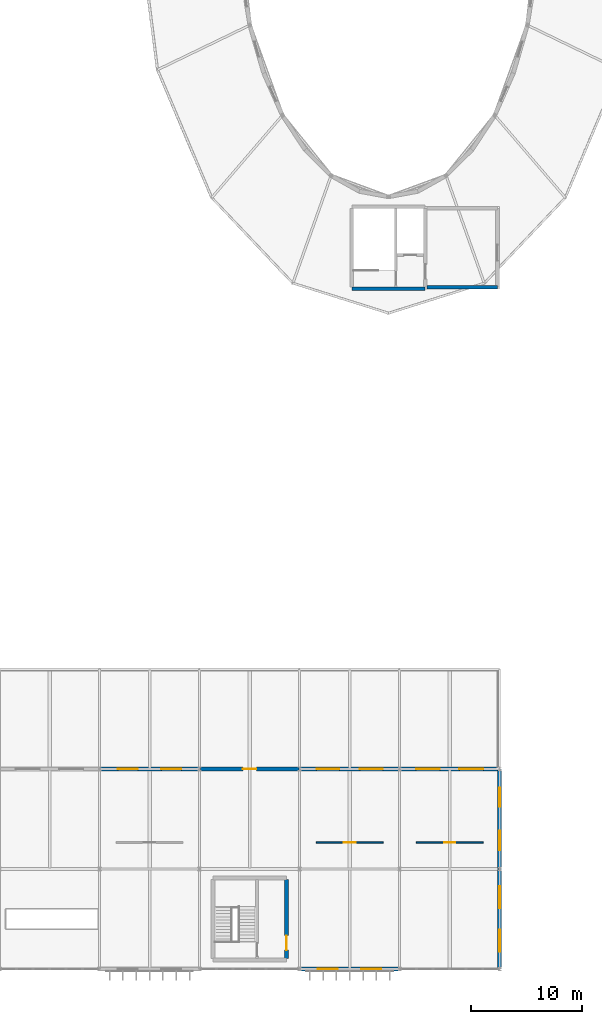
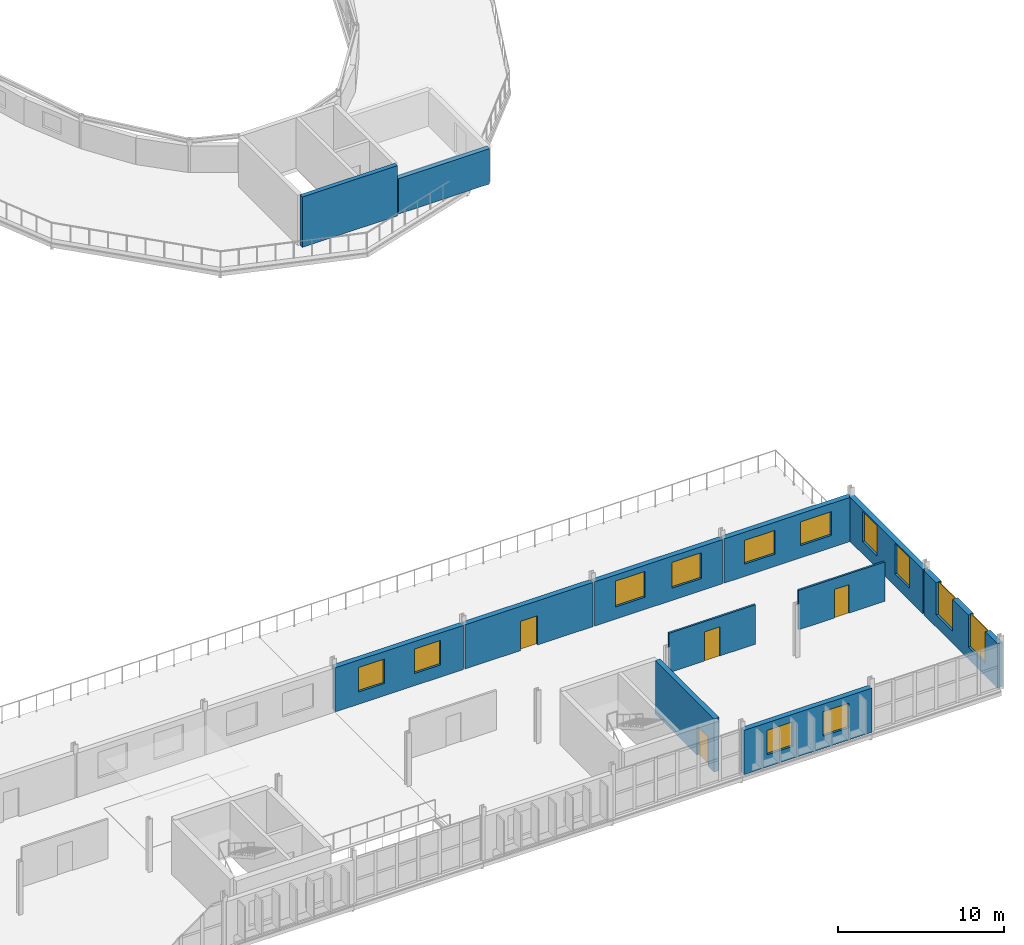
# One storey, part 104 of 123: 12 walls, 12 windows, 4 doors, 16 openings.
"""IFC4 building model written with IfcOpenShell, lengths in metres."""

from ifc_helpers import new_model, si_unit, direction, frame, frame_2d, origin, place, context, subcontext, project, spatial, rectangle, extrude, material, layer, layer_set, type_object, element, fill, save


model = new_model("IFC4")

# Units and contexts
model_context = context("Model", 3, precision=1e-05, world=origin(), true_north=direction((0.0, 1.0)))
body_context = subcontext(model_context, "Body", "Model", "MODEL_VIEW")
ifc_project = project(units=[si_unit("LENGTHUNIT", "METRE"), si_unit("AREAUNIT", "SQUARE_METRE"), si_unit("VOLUMEUNIT", "CUBIC_METRE"), si_unit("PLANEANGLEUNIT", "RADIAN"), si_unit("MASSUNIT", "GRAM", prefix="KILO")], contexts=[model_context])

# Site, building, storey
site_placement = place(None, origin())
site = spatial("IfcSite", under=ifc_project, at=site_placement, CompositionType="ELEMENT")
building_placement = place(site_placement, origin())
building = spatial("IfcBuilding", under=site, at=building_placement, Name="Kildeholm Park Wholesale Market", CompositionType="ELEMENT")
storey_placement = place(building_placement, frame((0.0, 0.0, 9.60009765625)))
storey = spatial("IfcBuildingStorey", under=building, at=storey_placement, Name="L02", CompositionType="ELEMENT", Elevation=9.60009765625)

# Wall, openings, windows
ifc_material_1 = material(Name="Red Danish clinker brick masonry with Concrete C35/45 backing", Category="masonry")
ifc_layer_1 = layer(ifc_material_1, 0.360107421875)
ifc_layer_set_1 = layer_set([ifc_layer_1], Name="Red Danish clinker brick masonry with Concrete C35/45 backing")
wall_type_1 = type_object("IfcWallType", Name="Exterior wall W-EX1 360 mm", PredefinedType="SOLIDWALL", material=ifc_layer_set_1)
wall_1_placement = place(storey_placement, frame((180.06005859375, 0.0, 0.0), z_axis=(0.0, 0.0, 1.0), x_axis=(1.0, 0.0, 0.0)))
wall_1 = element("IfcWall", 1, at=wall_1_placement, inside=storey, type_object=wall_type_1, Name="Exterior wall V5E-L02-S07.1 WL-0614", PredefinedType="SOLIDWALL", context=body_context, shape_type="SweptSolid", body=[
    extrude(rectangle(XDim=8.8798828125, YDim=0.360107421875, at=frame_2d((4.43994140625, 0.0))), origin(), (0.0, 0.0, 1.0), 3.25),
])
opening_1_placement = place(wall_1_placement, frame((1.5859375, 0.0, 0.89990234375)))
opening_1 = element("IfcOpeningElement", 2, at=opening_1_placement, cuts=wall_1, Name="Opening WN-07", PredefinedType="OPENING", context=body_context, shape_type="SweptSolid", body=[
    extrude(rectangle(XDim=1.800048828125, YDim=1.800048828125, at=frame_2d((0.89990234375, 0.89990234375))), frame((0.0, 0.18994140625, 0.0), z_axis=(0.0, -1.0, 0.0), x_axis=(1.0, 0.0, 0.0)), (0.0, 0.0, 1.0), 0.380126953125),
])
opening_2_placement = place(wall_1_placement, frame((5.493896484375, 0.0, 0.89990234375)))
opening_2 = element("IfcOpeningElement", 3, at=opening_2_placement, cuts=wall_1, Name="Opening WN-07", PredefinedType="OPENING", context=body_context, shape_type="SweptSolid", body=[
    extrude(rectangle(XDim=1.800048828125, YDim=1.800048828125, at=frame_2d((0.89990234375, 0.89990234375))), frame((0.0, 0.18994140625, 0.0), z_axis=(0.0, -1.0, 0.0), x_axis=(1.0, 0.0, 0.0)), (0.0, 0.0, 1.0), 0.380126953125),
])
ifc_material_2 = material(Name="Thermally broken aluminium and triple-glazed low-E glass", Category="aluminium")
window_type_1 = type_object("IfcWindowType", Name="Window WN-07 1800x1800", PartitioningType="DOUBLE_PANEL_VERTICAL", PredefinedType="WINDOW", material=ifc_material_2)
window_1_placement = place(opening_1_placement, origin())
window_1 = element("IfcWindow", 4, at=window_1_placement, inside=storey, type_object=window_type_1, Name="Window V5E-L02-S07.1.1 WIN-0420", OverallHeight=1.800048828125, OverallWidth=1.800048828125, PartitioningType="SINGLE_PANEL", PredefinedType="WINDOW", context=body_context, shape_type="SweptSolid", body=[
    extrude(rectangle(XDim=1.800048828125, YDim=1.800048828125, at=frame_2d((0.89990234375, 0.89990234375))), frame((0.0, 0.030029296875, 0.0), z_axis=(0.0, -1.0, 0.0), x_axis=(1.0, 0.0, 0.0)), (0.0, 0.0, 1.0), 0.06005859375),
])
fill(opening_1, window_1)
window_2_placement = place(opening_2_placement, origin())
window_2 = element("IfcWindow", 5, at=window_2_placement, inside=storey, type_object=window_type_1, Name="Window V5E-L02-S07.1.2 WIN-0421", OverallHeight=1.800048828125, OverallWidth=1.800048828125, PartitioningType="SINGLE_PANEL", PredefinedType="WINDOW", context=body_context, shape_type="SweptSolid", body=[
    extrude(rectangle(XDim=1.800048828125, YDim=1.800048828125, at=frame_2d((0.89990234375, 0.89990234375))), frame((0.0, 0.030029296875, 0.0), z_axis=(0.0, -1.0, 0.0), x_axis=(1.0, 0.0, 0.0)), (0.0, 0.0, 1.0), 0.06005859375),
])
fill(opening_2, window_2)

wall_2_placement = place(storey_placement, frame((162.06005859375, 18.0, 0.0), z_axis=(0.0, 0.0, 1.0), x_axis=(1.0, 0.0, 0.0)))
wall_2 = element("IfcWall", 6, at=wall_2_placement, inside=storey, type_object=wall_type_1, Name="Exterior wall V5E-L02-N.5 WL-0619", PredefinedType="SOLIDWALL", context=body_context, shape_type="SweptSolid", body=[
    extrude(rectangle(XDim=8.8798828125, YDim=0.360107421875, at=frame_2d((4.43994140625, 0.0))), origin(), (0.0, 0.0, 1.0), 3.25),
])
opening_3_placement = place(wall_2_placement, frame((1.5859375, 0.0, 0.89990234375)))
opening_3 = element("IfcOpeningElement", 7, at=opening_3_placement, cuts=wall_2, Name="Opening WN-07", PredefinedType="OPENING", context=body_context, shape_type="SweptSolid", body=[
    extrude(rectangle(XDim=1.800048828125, YDim=1.800048828125, at=frame_2d((0.89990234375, 0.89990234375))), frame((0.0, 0.18994140625, 0.0), z_axis=(0.0, -1.0, 0.0), x_axis=(1.0, 0.0, 0.0)), (0.0, 0.0, 1.0), 0.380126953125),
])
opening_4_placement = place(wall_2_placement, frame((5.493896484375, 0.0, 0.89990234375)))
opening_4 = element("IfcOpeningElement", 8, at=opening_4_placement, cuts=wall_2, Name="Opening WN-07", PredefinedType="OPENING", context=body_context, shape_type="SweptSolid", body=[
    extrude(rectangle(XDim=1.800048828125, YDim=1.800048828125, at=frame_2d((0.89990234375, 0.89990234375))), frame((0.0, 0.18994140625, 0.0), z_axis=(0.0, -1.0, 0.0), x_axis=(1.0, 0.0, 0.0)), (0.0, 0.0, 1.0), 0.380126953125),
])
window_3_placement = place(opening_3_placement, origin())
window_3 = element("IfcWindow", 9, at=window_3_placement, inside=storey, type_object=window_type_1, Name="Window V5E-L02-N.5.1 WIN-0428", OverallHeight=1.800048828125, OverallWidth=1.800048828125, PartitioningType="SINGLE_PANEL", PredefinedType="WINDOW", context=body_context, shape_type="SweptSolid", body=[
    extrude(rectangle(XDim=1.800048828125, YDim=1.800048828125, at=frame_2d((0.89990234375, 0.89990234375))), frame((0.0, 0.030029296875, 0.0), z_axis=(0.0, -1.0, 0.0), x_axis=(1.0, 0.0, 0.0)), (0.0, 0.0, 1.0), 0.06005859375),
])
fill(opening_3, window_3)
window_4_placement = place(opening_4_placement, origin())
window_4 = element("IfcWindow", 10, at=window_4_placement, inside=storey, type_object=window_type_1, Name="Window V5E-L02-N.5.2 WIN-0429", OverallHeight=1.800048828125, OverallWidth=1.800048828125, PartitioningType="SINGLE_PANEL", PredefinedType="WINDOW", context=body_context, shape_type="SweptSolid", body=[
    extrude(rectangle(XDim=1.800048828125, YDim=1.800048828125, at=frame_2d((0.89990234375, 0.89990234375))), frame((0.0, 0.030029296875, 0.0), z_axis=(0.0, -1.0, 0.0), x_axis=(1.0, 0.0, 0.0)), (0.0, 0.0, 1.0), 0.06005859375),
])
fill(opening_4, window_4)

# Wall, opening, door
wall_3_placement = place(storey_placement, frame((171.06005859375, 18.0, 0.0), z_axis=(0.0, 0.0, 1.0), x_axis=(1.0, 0.0, 0.0)))
wall_3 = element("IfcWall", 11, at=wall_3_placement, inside=storey, type_object=wall_type_1, Name="Exterior wall V5E-L02-N.6 WL-0620", PredefinedType="SOLIDWALL", context=body_context, shape_type="SweptSolid", body=[
    extrude(rectangle(XDim=8.8798828125, YDim=0.360107421875, at=frame_2d((4.43994140625, 0.0))), origin(), (0.0, 0.0, 1.0), 3.25),
])
opening_5_placement = place(wall_3_placement, frame((3.840087890625, 0.0, 0.0)))
opening_5 = element("IfcOpeningElement", 12, at=opening_5_placement, cuts=wall_3, Name="Opening D-EX11", PredefinedType="OPENING", context=body_context, shape_type="SweptSolid", body=[
    extrude(rectangle(XDim=1.199951171875, YDim=2.14990234375, at=frame_2d((0.60009765625, 1.074951171875))), frame((0.0, 0.18994140625, 0.0), z_axis=(0.0, -1.0, 0.0), x_axis=(1.0, 0.0, 0.0)), (0.0, 0.0, 1.0), 0.380126953125),
])
ifc_material_3 = material(Name="Anodised aluminium terrace leaf door", Category="aluminium")
door_type_1 = type_object("IfcDoorType", Name="Exterior door D-EX11 1200x2150", OperationType="NOTDEFINED", PredefinedType="DOOR", material=ifc_material_3)
door_1_placement = place(opening_5_placement, origin())
door_1 = element("IfcDoor", 13, at=door_1_placement, inside=storey, type_object=door_type_1, Name="Door V5E-L02-N.6 DR-0069 WL-0620", OperationType="SINGLE_SWING_LEFT", OverallHeight=2.14990234375, OverallWidth=1.199951171875, PredefinedType="DOOR", context=body_context, shape_type="SweptSolid", body=[
    extrude(rectangle(XDim=1.199951171875, YDim=2.14990234375, at=frame_2d((0.60009765625, 1.074951171875))), frame((0.0, 0.02490234375, 0.0), z_axis=(0.0, -1.0, 0.0), x_axis=(1.0, 0.0, 0.0)), (0.0, 0.0, 1.0), 0.050048828125),
])
fill(opening_5, door_1)

# Wall, openings, windows
wall_4_placement = place(storey_placement, frame((180.06005859375, 18.0, 0.0), z_axis=(0.0, 0.0, 1.0), x_axis=(1.0, 0.0, 0.0)))
wall_4 = element("IfcWall", 14, at=wall_4_placement, inside=storey, type_object=wall_type_1, Name="Exterior wall V5E-L02-N.7 WL-0621", PredefinedType="SOLIDWALL", context=body_context, shape_type="SweptSolid", body=[
    extrude(rectangle(XDim=8.8798828125, YDim=0.360107421875, at=frame_2d((4.43994140625, 0.0))), origin(), (0.0, 0.0, 1.0), 3.25),
])
opening_6_placement = place(wall_4_placement, frame((1.4609375, 0.0, 0.89990234375)))
opening_6 = element("IfcOpeningElement", 15, at=opening_6_placement, cuts=wall_4, Name="Opening WN-31", PredefinedType="OPENING", context=body_context, shape_type="SweptSolid", body=[
    extrude(rectangle(XDim=2.050048828125, YDim=1.89990234375, at=frame_2d((1.02490234375, 0.949951171875))), frame((0.0, 0.18994140625, 0.0), z_axis=(0.0, -1.0, 0.0), x_axis=(1.0, 0.0, 0.0)), (0.0, 0.0, 1.0), 0.380126953125),
])
opening_7_placement = place(wall_4_placement, frame((5.368896484375, 0.0, 0.89990234375)))
opening_7 = element("IfcOpeningElement", 16, at=opening_7_placement, cuts=wall_4, Name="Opening WN-31", PredefinedType="OPENING", context=body_context, shape_type="SweptSolid", body=[
    extrude(rectangle(XDim=2.050048828125, YDim=1.89990234375, at=frame_2d((1.02490234375, 0.949951171875))), frame((0.0, 0.18994140625, 0.0), z_axis=(0.0, -1.0, 0.0), x_axis=(1.0, 0.0, 0.0)), (0.0, 0.0, 1.0), 0.380126953125),
])
window_type_2 = type_object("IfcWindowType", Name="Window WN-31 2050x1900", PartitioningType="TRIPLE_PANEL_VERTICAL", PredefinedType="WINDOW", material=ifc_material_2)
window_5_placement = place(opening_6_placement, origin())
window_5 = element("IfcWindow", 17, at=window_5_placement, inside=storey, type_object=window_type_2, Name="Window V5E-L02-N.7.1 WIN-0430", OverallHeight=1.89990234375, OverallWidth=2.050048828125, PartitioningType="SINGLE_PANEL", PredefinedType="WINDOW", context=body_context, shape_type="SweptSolid", body=[
    extrude(rectangle(XDim=2.050048828125, YDim=1.89990234375, at=frame_2d((1.02490234375, 0.949951171875))), frame((0.0, 0.030029296875, 0.0), z_axis=(0.0, -1.0, 0.0), x_axis=(1.0, 0.0, 0.0)), (0.0, 0.0, 1.0), 0.06005859375),
])
fill(opening_6, window_5)
window_6_placement = place(opening_7_placement, origin())
window_6 = element("IfcWindow", 18, at=window_6_placement, inside=storey, type_object=window_type_2, Name="Window V5E-L02-N.7.2 WIN-0431", OverallHeight=1.89990234375, OverallWidth=2.050048828125, PartitioningType="SINGLE_PANEL", PredefinedType="WINDOW", context=body_context, shape_type="SweptSolid", body=[
    extrude(rectangle(XDim=2.050048828125, YDim=1.89990234375, at=frame_2d((1.02490234375, 0.949951171875))), frame((0.0, 0.030029296875, 0.0), z_axis=(0.0, -1.0, 0.0), x_axis=(1.0, 0.0, 0.0)), (0.0, 0.0, 1.0), 0.06005859375),
])
fill(opening_7, window_6)

wall_5_placement = place(storey_placement, frame((189.06005859375, 18.0, 0.0), z_axis=(0.0, 0.0, 1.0), x_axis=(1.0, 0.0, 0.0)))
wall_5 = element("IfcWall", 19, at=wall_5_placement, inside=storey, type_object=wall_type_1, Name="Exterior wall V5E-L02-N.8 WL-0622", PredefinedType="SOLIDWALL", context=body_context, shape_type="SweptSolid", body=[
    extrude(rectangle(XDim=8.8798828125, YDim=0.360107421875, at=frame_2d((4.43994140625, 0.0))), origin(), (0.0, 0.0, 1.0), 3.25),
])
opening_8_placement = place(wall_5_placement, frame((1.410888671875, 0.0, 0.89990234375)))
opening_8 = element("IfcOpeningElement", 20, at=opening_8_placement, cuts=wall_5, Name="Opening WN-32", PredefinedType="OPENING", context=body_context, shape_type="SweptSolid", body=[
    extrude(rectangle(XDim=2.14990234375, YDim=1.75, at=frame_2d((1.074951171875, 0.875))), frame((0.0, 0.18994140625, 0.0), z_axis=(0.0, -1.0, 0.0), x_axis=(1.0, 0.0, 0.0)), (0.0, 0.0, 1.0), 0.380126953125),
])
opening_9_placement = place(wall_5_placement, frame((5.319091796875, 0.0, 0.89990234375)))
opening_9 = element("IfcOpeningElement", 21, at=opening_9_placement, cuts=wall_5, Name="Opening WN-32", PredefinedType="OPENING", context=body_context, shape_type="SweptSolid", body=[
    extrude(rectangle(XDim=2.14990234375, YDim=1.75, at=frame_2d((1.074951171875, 0.875))), frame((0.0, 0.18994140625, 0.0), z_axis=(0.0, -1.0, 0.0), x_axis=(1.0, 0.0, 0.0)), (0.0, 0.0, 1.0), 0.380126953125),
])
window_type_3 = type_object("IfcWindowType", Name="Window WN-32 2150x1750", PartitioningType="TRIPLE_PANEL_VERTICAL", PredefinedType="WINDOW", material=ifc_material_2)
window_7_placement = place(opening_8_placement, origin())
window_7 = element("IfcWindow", 22, at=window_7_placement, inside=storey, type_object=window_type_3, Name="Window V5E-L02-N.8.1 WIN-0432", OverallHeight=1.75, OverallWidth=2.14990234375, PartitioningType="SINGLE_PANEL", PredefinedType="WINDOW", context=body_context, shape_type="SweptSolid", body=[
    extrude(rectangle(XDim=2.14990234375, YDim=1.75, at=frame_2d((1.074951171875, 0.875))), frame((0.0, 0.030029296875, 0.0), z_axis=(0.0, -1.0, 0.0), x_axis=(1.0, 0.0, 0.0)), (0.0, 0.0, 1.0), 0.06005859375),
])
fill(opening_8, window_7)
window_8_placement = place(opening_9_placement, origin())
window_8 = element("IfcWindow", 23, at=window_8_placement, inside=storey, type_object=window_type_3, Name="Window V5E-L02-N.8.2 WIN-0433", OverallHeight=1.75, OverallWidth=2.14990234375, PartitioningType="SINGLE_PANEL", PredefinedType="WINDOW", context=body_context, shape_type="SweptSolid", body=[
    extrude(rectangle(XDim=2.14990234375, YDim=1.75, at=frame_2d((1.074951171875, 0.875))), frame((0.0, 0.030029296875, 0.0), z_axis=(0.0, -1.0, 0.0), x_axis=(1.0, 0.0, 0.0)), (0.0, 0.0, 1.0), 0.06005859375),
])
fill(opening_9, window_8)

wall_6_placement = place(storey_placement, frame((198.0, 0.06005859375, 0.0), z_axis=(0.0, 0.0, 1.0), x_axis=(0.0, 1.0, 0.0)))
wall_6 = element("IfcWall", 24, at=wall_6_placement, inside=storey, type_object=wall_type_1, Name="Exterior wall V5E-L02-E.1 WL-0625", PredefinedType="SOLIDWALL", context=body_context, shape_type="SweptSolid", body=[
    extrude(rectangle(XDim=8.8798828125, YDim=0.360107421875, at=frame_2d((4.43994140625, 0.0))), origin(), (0.0, 0.0, 1.0), 3.25),
])
opening_10_placement = place(wall_6_placement, frame((1.486083984375, 0.0, 0.89990234375)))
opening_10 = element("IfcOpeningElement", 25, at=opening_10_placement, cuts=wall_6, Name="Opening WN-16", PredefinedType="OPENING", context=body_context, shape_type="SweptSolid", body=[
    extrude(rectangle(XDim=2.0, YDim=2.39990234375, at=frame_2d((1.0, 1.199951171875))), frame((0.0, 0.18994140625, 0.0), z_axis=(0.0, -1.0, 0.0), x_axis=(1.0, 0.0, 0.0)), (0.0, 0.0, 1.0), 0.380126953125),
])
opening_11_placement = place(wall_6_placement, frame((5.39404296875, 0.0, 0.89990234375)))
opening_11 = element("IfcOpeningElement", 26, at=opening_11_placement, cuts=wall_6, Name="Opening WN-16", PredefinedType="OPENING", context=body_context, shape_type="SweptSolid", body=[
    extrude(rectangle(XDim=2.0, YDim=2.39990234375, at=frame_2d((1.0, 1.199951171875))), frame((0.0, 0.18994140625, 0.0), z_axis=(0.0, -1.0, 0.0), x_axis=(1.0, 0.0, 0.0)), (0.0, 0.0, 1.0), 0.380126953125),
])
window_type_4 = type_object("IfcWindowType", Name="Window WN-16 2000x2400", PartitioningType="TRIPLE_PANEL_VERTICAL", PredefinedType="WINDOW", material=ifc_material_2)
window_9_placement = place(opening_10_placement, origin())
window_9 = element("IfcWindow", 27, at=window_9_placement, inside=storey, type_object=window_type_4, Name="Window V5E-L02-E.1.1 WIN-0436", OverallHeight=2.39990234375, OverallWidth=2.0, PartitioningType="SINGLE_PANEL", PredefinedType="WINDOW", context=body_context, shape_type="SweptSolid", body=[
    extrude(rectangle(XDim=2.0, YDim=2.39990234375, at=frame_2d((1.0, 1.199951171875))), frame((0.0, 0.030029296875, 0.0), z_axis=(0.0, -1.0, 0.0), x_axis=(1.0, 0.0, 0.0)), (0.0, 0.0, 1.0), 0.06005859375),
])
fill(opening_10, window_9)
window_10_placement = place(opening_11_placement, origin())
window_10 = element("IfcWindow", 28, at=window_10_placement, inside=storey, type_object=window_type_4, Name="Window V5E-L02-E.1.2 WIN-0437", OverallHeight=2.39990234375, OverallWidth=2.0, PartitioningType="SINGLE_PANEL", PredefinedType="WINDOW", context=body_context, shape_type="SweptSolid", body=[
    extrude(rectangle(XDim=2.0, YDim=2.39990234375, at=frame_2d((1.0, 1.199951171875))), frame((0.0, 0.030029296875, 0.0), z_axis=(0.0, -1.0, 0.0), x_axis=(1.0, 0.0, 0.0)), (0.0, 0.0, 1.0), 0.06005859375),
])
fill(opening_11, window_10)

wall_7_placement = place(storey_placement, frame((198.0, 9.06005859375, 0.0), z_axis=(0.0, 0.0, 1.0), x_axis=(0.0, 1.0, 0.0)))
wall_7 = element("IfcWall", 29, at=wall_7_placement, inside=storey, type_object=wall_type_1, Name="Exterior wall V5E-L02-E.2 WL-0626", PredefinedType="SOLIDWALL", context=body_context, shape_type="SweptSolid", body=[
    extrude(rectangle(XDim=8.8798828125, YDim=0.360107421875, at=frame_2d((4.43994140625, 0.0))), origin(), (0.0, 0.0, 1.0), 3.25),
])
opening_12_placement = place(wall_7_placement, frame((1.611083984375, 0.0, 0.89990234375)))
opening_12 = element("IfcOpeningElement", 30, at=opening_12_placement, cuts=wall_7, Name="Opening WN-25", PredefinedType="OPENING", context=body_context, shape_type="SweptSolid", body=[
    extrude(rectangle(XDim=1.75, YDim=2.25, at=frame_2d((0.875, 1.125))), frame((0.0, 0.18994140625, 0.0), z_axis=(0.0, -1.0, 0.0), x_axis=(1.0, 0.0, 0.0)), (0.0, 0.0, 1.0), 0.380126953125),
])
opening_13_placement = place(wall_7_placement, frame((5.51904296875, 0.0, 0.89990234375)))
opening_13 = element("IfcOpeningElement", 31, at=opening_13_placement, cuts=wall_7, Name="Opening WN-25", PredefinedType="OPENING", context=body_context, shape_type="SweptSolid", body=[
    extrude(rectangle(XDim=1.75, YDim=2.25, at=frame_2d((0.875, 1.125))), frame((0.0, 0.18994140625, 0.0), z_axis=(0.0, -1.0, 0.0), x_axis=(1.0, 0.0, 0.0)), (0.0, 0.0, 1.0), 0.380126953125),
])
window_type_5 = type_object("IfcWindowType", Name="Window WN-25 1750x2250", PartitioningType="DOUBLE_PANEL_VERTICAL", PredefinedType="WINDOW", material=ifc_material_2)
window_11_placement = place(opening_12_placement, origin())
window_11 = element("IfcWindow", 32, at=window_11_placement, inside=storey, type_object=window_type_5, Name="Window V5E-L02-E.2.1 WIN-0438", OverallHeight=2.25, OverallWidth=1.75, PartitioningType="SINGLE_PANEL", PredefinedType="WINDOW", context=body_context, shape_type="SweptSolid", body=[
    extrude(rectangle(XDim=1.75, YDim=2.25, at=frame_2d((0.875, 1.125))), frame((0.0, 0.030029296875, 0.0), z_axis=(0.0, -1.0, 0.0), x_axis=(1.0, 0.0, 0.0)), (0.0, 0.0, 1.0), 0.06005859375),
])
fill(opening_12, window_11)
window_12_placement = place(opening_13_placement, origin())
window_12 = element("IfcWindow", 33, at=window_12_placement, inside=storey, type_object=window_type_5, Name="Window V5E-L02-E.2.2 WIN-0439", OverallHeight=2.25, OverallWidth=1.75, PartitioningType="SINGLE_PANEL", PredefinedType="WINDOW", context=body_context, shape_type="SweptSolid", body=[
    extrude(rectangle(XDim=1.75, YDim=2.25, at=frame_2d((0.875, 1.125))), frame((0.0, 0.030029296875, 0.0), z_axis=(0.0, -1.0, 0.0), x_axis=(1.0, 0.0, 0.0)), (0.0, 0.0, 1.0), 0.06005859375),
])
fill(opening_13, window_12)

# Wall
ifc_material_4 = material(Name="Precast concrete C40/50 architectural rainscreen wall", Category="concrete")
ifc_layer_2 = layer(ifc_material_4, 0.340087890625)
ifc_layer_set_2 = layer_set([ifc_layer_2], Name="Precast concrete C40/50 architectural rainscreen wall")
wall_type_2 = type_object("IfcWallType", Name="Exterior wall W-EX4 340 mm", PredefinedType="SOLIDWALL", material=ifc_layer_set_2)
wall_8_placement = place(storey_placement, frame((191.449951171875, 61.35009765625, 0.0), z_axis=(0.0, 0.0, 1.0), x_axis=(1.0, 0.0, 0.0)))
element("IfcWall", 34, at=wall_8_placement, inside=storey, type_object=wall_type_2, Name="Oval garden lounge south wall S WL-0303", PredefinedType="SOLIDWALL", context=body_context, shape_type="SweptSolid", body=[
    extrude(rectangle(XDim=6.35009765625, YDim=0.340087890625, at=frame_2d((3.175048828125, 0.0))), origin(), (0.0, 0.0, 1.0), 2.599853515625),
])

# Wall, opening, door
ifc_material_5 = material(Name="Glazed office and laboratory acoustic partition")
ifc_layer_3 = layer(ifc_material_5, 0.1298828125)
ifc_layer_set_3 = layer_set([ifc_layer_3], Name="Glazed office and laboratory acoustic partition")
wall_type_3 = type_object("IfcWallType", Name="Partition W-PT12 130 mm", PredefinedType="PARTITIONING", material=ifc_layer_set_3)
wall_9_placement = place(storey_placement, frame((181.5, 11.39990234375, 0.0), z_axis=(0.0, 0.0, 1.0), x_axis=(1.0, 0.0, 0.0)))
wall_9 = element("IfcWall", 35, at=wall_9_placement, inside=storey, type_object=wall_type_3, Name="Interior partition W-V5E-L02-C7 WL-1049", PredefinedType="PARTITIONING", context=body_context, shape_type="SweptSolid", body=[
    extrude(rectangle(XDim=6.0, YDim=0.1298828125, at=frame_2d((3.0, 0.0))), origin(), (0.0, 0.0, 1.0), 2.89990234375),
])
opening_14_placement = place(wall_9_placement, frame((2.47509765625, 0.0, 0.0)))
opening_14 = element("IfcOpeningElement", 36, at=opening_14_placement, cuts=wall_9, Name="Opening D-IN10", PredefinedType="OPENING", context=body_context, shape_type="SweptSolid", body=[
    extrude(rectangle(XDim=1.050048828125, YDim=2.14990234375, at=frame_2d((0.52490234375, 1.074951171875))), frame((0.0, 0.074951171875, 0.0), z_axis=(0.0, -1.0, 0.0), x_axis=(1.0, 0.0, 0.0)), (0.0, 0.0, 1.0), 0.14990234375),
])
ifc_material_6 = material(Name="Veterinary inspection office doorset")
door_type_2 = type_object("IfcDoorType", Name="Interior door D-IN10 1050x2150", OperationType="NOTDEFINED", PredefinedType="DOOR", material=ifc_material_6)
door_2_placement = place(opening_14_placement, origin())
door_2 = element("IfcDoor", 37, at=door_2_placement, inside=storey, type_object=door_type_2, Name="Interior door V5E-L02-C7 DR-0324 WL-1049", OperationType="SINGLE_SWING_RIGHT", OverallHeight=2.14990234375, OverallWidth=1.050048828125, PredefinedType="DOOR", context=body_context, shape_type="SweptSolid", body=[
    extrude(rectangle(XDim=1.050048828125, YDim=2.14990234375, at=frame_2d((0.52490234375, 1.074951171875))), frame((0.0, 0.02490234375, 0.0), z_axis=(0.0, -1.0, 0.0), x_axis=(1.0, 0.0, 0.0)), (0.0, 0.0, 1.0), 0.050048828125),
])
fill(opening_14, door_2)

wall_10_placement = place(storey_placement, frame((190.5, 11.39990234375, 0.0), z_axis=(0.0, 0.0, 1.0), x_axis=(1.0, 0.0, 0.0)))
wall_10 = element("IfcWall", 38, at=wall_10_placement, inside=storey, type_object=wall_type_3, Name="Interior partition W-V5E-L02-C8 WL-1050", PredefinedType="PARTITIONING", context=body_context, shape_type="SweptSolid", body=[
    extrude(rectangle(XDim=6.0, YDim=0.1298828125, at=frame_2d((3.0, 0.0))), origin(), (0.0, 0.0, 1.0), 2.89990234375),
])
opening_15_placement = place(wall_10_placement, frame((2.5, 0.0, 0.0)))
opening_15 = element("IfcOpeningElement", 39, at=opening_15_placement, cuts=wall_10, Name="Opening D-IN02", PredefinedType="OPENING", context=body_context, shape_type="SweptSolid", body=[
    extrude(rectangle(XDim=1.0, YDim=2.10009765625, at=frame_2d((0.5, 1.050048828125))), frame((0.0, 0.074951171875, 0.0), z_axis=(0.0, -1.0, 0.0), x_axis=(1.0, 0.0, 0.0)), (0.0, 0.0, 1.0), 0.14990234375),
])
ifc_material_7 = material(Name="Hygienic laminate accessible WC doorset")
door_type_3 = type_object("IfcDoorType", Name="Interior door D-IN02 1000x2100", OperationType="NOTDEFINED", PredefinedType="DOOR", material=ifc_material_7)
door_3_placement = place(opening_15_placement, origin())
door_3 = element("IfcDoor", 40, at=door_3_placement, inside=storey, type_object=door_type_3, Name="Interior door V5E-L02-C8 DR-0325 WL-1050", OperationType="SINGLE_SWING_LEFT", OverallHeight=2.10009765625, OverallWidth=1.0, PredefinedType="DOOR", context=body_context, shape_type="SweptSolid", body=[
    extrude(rectangle(XDim=1.0, YDim=2.10009765625, at=frame_2d((0.5, 1.050048828125))), frame((0.0, 0.02490234375, 0.0), z_axis=(0.0, -1.0, 0.0), x_axis=(1.0, 0.0, 0.0)), (0.0, 0.0, 1.0), 0.050048828125),
])
fill(opening_15, door_3)

# Wall
ifc_material_8 = material(Name="Concrete C40/50", Category="concrete")
ifc_layer_4 = layer(ifc_material_8, 0.300048828125)
ifc_layer_set_4 = layer_set([ifc_layer_4], Name="Concrete C40/50")
wall_type_4 = type_object("IfcWallType", Name="Shear wall W-SH1 300 mm", PredefinedType="SHEAR", material=ifc_layer_set_4)
wall_11_placement = place(storey_placement, frame((184.699951171875, 61.199951171875, 0.0), z_axis=(0.0, 0.0, 1.0), x_axis=(1.0, 0.0, 0.0)))
element("IfcWall", 41, at=wall_11_placement, inside=storey, type_object=wall_type_4, Name="Core C12 south shear wall L02 WL-0870", PredefinedType="SHEAR", context=body_context, shape_type="SweptSolid", body=[
    extrude(rectangle(XDim=6.60009765625, YDim=0.300048828125, at=frame_2d((3.300048828125, 0.0))), origin(), (0.0, 0.0, 1.0), 3.699951171875),
])

# Wall, opening, door
ifc_layer_5 = layer(ifc_material_8, 0.35009765625)
ifc_layer_set_5 = layer_set([ifc_layer_5], Name="Concrete C40/50")
wall_type_5 = type_object("IfcWallType", Name="Shear wall W-SH3 350 mm", PredefinedType="SHEAR", material=ifc_layer_set_5)
wall_12_placement = place(storey_placement, frame((178.800048828125, 0.949951171875, 0.0), z_axis=(0.0, 0.0, 1.0), x_axis=(0.0, 1.0, 0.0)))
wall_12 = element("IfcWall", 42, at=wall_12_placement, inside=storey, type_object=wall_type_5, Name="Core C07 east shear wall L02 WL-0785", PredefinedType="SHEAR", context=body_context, shape_type="SweptSolid", body=[
    extrude(rectangle(XDim=7.10009765625, YDim=0.35009765625, at=frame_2d((3.550048828125, 0.0))), origin(), (0.0, 0.0, 1.0), 3.89990234375),
])
opening_16_placement = place(wall_12_placement, frame((0.75, 0.0, 0.0)))
opening_16 = element("IfcOpeningElement", 43, at=opening_16_placement, cuts=wall_12, Name="Opening D-CR02", PredefinedType="OPENING", context=body_context, shape_type="SweptSolid", body=[
    extrude(rectangle(XDim=1.300048828125, YDim=2.14990234375, at=frame_2d((0.64990234375, 1.074951171875))), frame((0.0, 0.18505859375, 0.0), z_axis=(0.0, -1.0, 0.0), x_axis=(1.0, 0.0, 0.0)), (0.0, 0.0, 1.0), 0.3701171875),
])
ifc_material_9 = material(Name="Painted steel core lobby double-leaf doorset", Category="steel")
door_type_4 = type_object("IfcDoorType", Name="Interior door D-CR02 1300x2150", OperationType="NOTDEFINED", PredefinedType="DOOR", material=ifc_material_9)
door_4_placement = place(opening_16_placement, frame((1.300048828125, 0.0, 0.0), z_axis=(0.0, 0.0, 1.0), x_axis=(-1.0, 0.0, 0.0)))
door_4 = element("IfcDoor", 44, at=door_4_placement, inside=storey, type_object=door_type_4, Name="Core C07 lobby entrance door L02 DR-0142 WL-0785", OperationType="DOUBLE_DOOR_SINGLE_SWING", OverallHeight=2.14990234375, OverallWidth=1.300048828125, PredefinedType="DOOR", context=body_context, shape_type="SweptSolid", body=[
    extrude(rectangle(XDim=1.300048828125, YDim=2.14990234375, at=frame_2d((0.64990234375, 1.074951171875))), frame((0.0, 0.02490234375, 0.0), z_axis=(0.0, -1.0, 0.0), x_axis=(1.0, 0.0, 0.0)), (0.0, 0.0, 1.0), 0.050048828125),
])
fill(opening_16, door_4)

save(model, "model.ifc")
